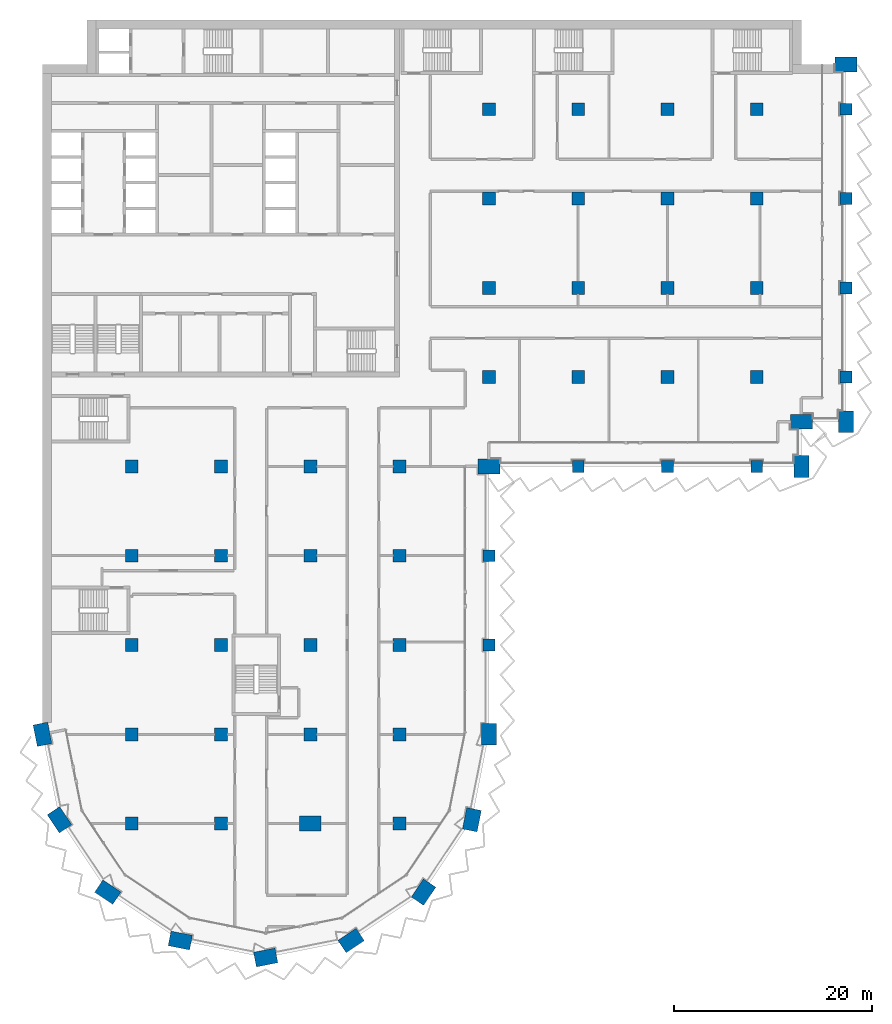
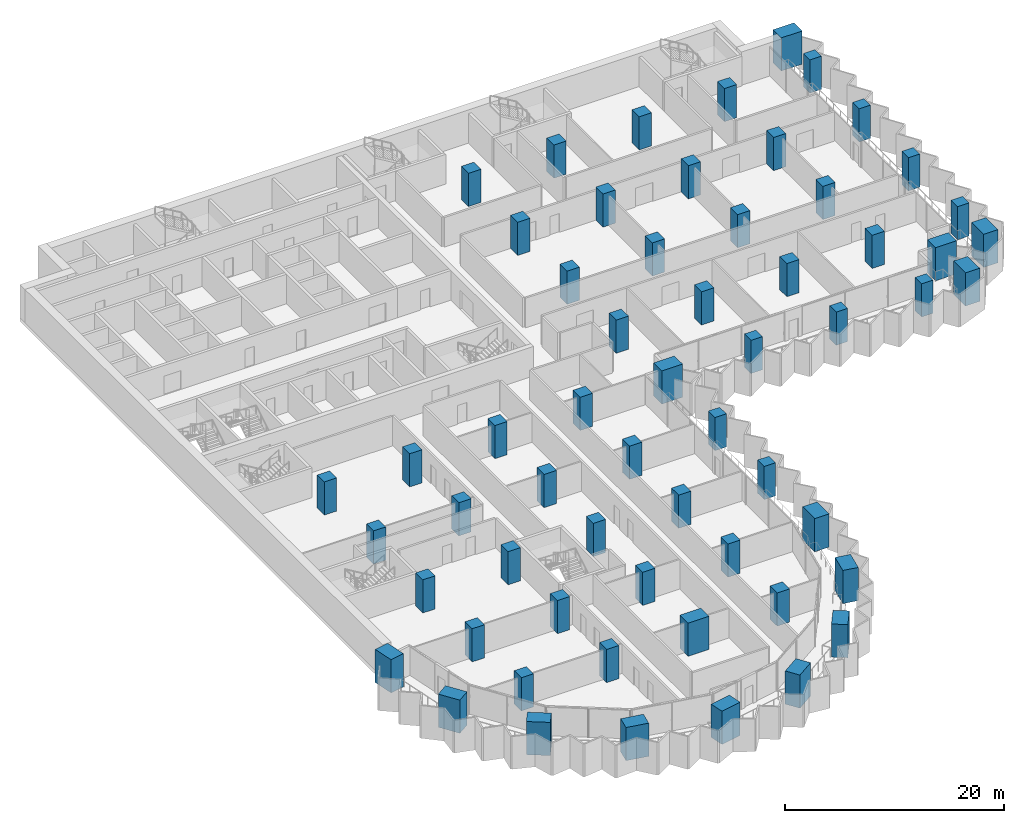
# One storey, part 1 of 22: 59 columns.
"""IFC4 building model written with IfcOpenShell, lengths in metres."""

from ifc_helpers import new_model, si_unit, direction, frame, origin, origin_2d, place, context, subcontext, project, spatial, rectangle, extrude, material, material_profile, profile_set, type_object, element, save


model = new_model("IFC4")

# Units and contexts
model_context = context("Model", 3, precision=1e-05, world=origin(), true_north=direction((0.0, 1.0)))
body_context = subcontext(model_context, "Body", "Model", "MODEL_VIEW")
ifc_project = project(units=[si_unit("LENGTHUNIT", "METRE"), si_unit("AREAUNIT", "SQUARE_METRE"), si_unit("VOLUMEUNIT", "CUBIC_METRE"), si_unit("PLANEANGLEUNIT", "RADIAN"), si_unit("MASSUNIT", "GRAM", prefix="KILO")], contexts=[model_context])

# Site, building, storey
site_placement = place(None, origin())
site = spatial("IfcSite", under=ifc_project, at=site_placement, CompositionType="ELEMENT")
building_placement = place(site_placement, origin())
building = spatial("IfcBuilding", under=site, at=building_placement, Name="Hunhe Ridgeline Campus", CompositionType="ELEMENT")
storey_placement = place(building_placement, frame((0.0, 0.0, 84.800048828125)))
storey = spatial("IfcBuildingStorey", under=building, at=storey_placement, Name="L20", CompositionType="ELEMENT", Elevation=84.800048828125)

# Columns
ifc_material = material(Name="Concrete C70", Category="concrete")
ifc_material_profile_1 = material_profile(ifc_material, rectangle(XDim=2.199951171875, YDim=1.5, at=origin_2d()))
ifc_profile_set_1 = profile_set([ifc_material_profile_1], Name="Concrete C70")
column_type_1 = type_object("IfcColumnType", Name="Megacolumn 2200x1500 Concrete C70", PredefinedType="COLUMN", material=ifc_profile_set_1)
for number, where, z_axis, x_axis, name in (
    (1, (22.5, 4.5, 0.0), (0.0, 0.0, 1.0), (0.980785280403, 0.195090322016, 0.0), "Column C6 R1 L20"),
    (2, (13.8896484375, 6.212646484375, 0.0), (0.0, 0.0, 1.0), (-0.980785280403, 0.195090322016, 0.0), "Column C6 R2 L20"),
    (3, (31.1103515625, 6.212646484375, 0.0), (0.0, 0.0, 1.0), (0.831469612303, 0.55557023302, 0.0), "Column C6 R3 L20"),
    (4, (6.590087890625, 11.090087890625, 0.0), (0.0, 0.0, 1.0), (-0.831469612303, 0.55557023302, 0.0), "Column C6 R4 L20"),
    (5, (38.409912109375, 11.090087890625, 0.0), (0.0, 0.0, 1.0), (0.55557023302, 0.831469612303, 0.0), "Column C6 R5 L20"),
    (6, (1.712646484375, 18.3896484375, 0.0), (0.0, 0.0, 1.0), (-0.55557023302, 0.831469612303, 0.0), "Column C6 R9 L20"),
    (7, (43.287353515625, 18.3896484375, 0.0), (0.0, 0.0, 1.0), (0.195090322016, 0.980785280403, 0.0), "Column C6 R10 L20"),
    (8, (0.0, 27.0, 0.0), (0.0, 0.0, 1.0), (-0.195090322016, 0.980785280403, 0.0), "Column C6 D1 L20"),
    (9, (45.0, 27.0, 0.0), (0.0, 0.0, 1.0), (0.0, 1.0, 0.0), "Column C6 D6 L20"),
    (10, (45.0, 54.0, 0.0), (0.0, 0.0, 1.0), (1.0, 0.0, 0.0), "Column C6 G6 L20"),
    (11, (76.5, 54.0, 0.0), (0.0, 0.0, 1.0), (0.0, 1.0, 0.0), "Column C6 R31 L20"),
    (12, (76.5, 58.5, 0.0), (0.0, 0.0, 1.0), (1.0, 0.0, 0.0), "Column C6 R37 L20"),
    (13, (81.0, 58.5, 0.0), (0.0, 0.0, 1.0), (0.0, 1.0, 0.0), "Column C6 R38 L20"),
    (14, (81.0, 94.5, 0.0), (0.0, 0.0, 1.0), (1.0, 0.0, 0.0), "Column C6 R43 L20"),
    (15, (27.0, 18.0, 0.0), (0.0, 0.0, 1.0), (1.0, 0.0, 0.0), "Column C6 C4 L20"),
):
    element("IfcColumn", number, at=place(storey_placement, frame(where, z_axis=z_axis, x_axis=x_axis)), inside=storey, type_object=column_type_1, Name=name, PredefinedType="COLUMN", context=body_context, shape_type="SweptSolid", body=[
        extrude(rectangle(XDim=2.199951171875, YDim=1.5, at=origin_2d()), origin(), (0.0, 0.0, 1.0), 3.699951171875),
    ])
ifc_material_profile_2 = material_profile(ifc_material, rectangle(XDim=1.199951171875, YDim=1.199951171875, at=origin_2d()))
ifc_profile_set_2 = profile_set([ifc_material_profile_2], Name="Concrete C70")
column_type_2 = type_object("IfcColumnType", Name="RC column 1200x1200 Concrete C70", PredefinedType="COLUMN", material=ifc_profile_set_2)
for number, where, z_axis, x_axis, name in (
    (16, (45.0, 36.0, 0.0), (0.0, 0.0, 1.0), (1.0, 0.0, 0.0), "Column C7 E6 L20"),
    (17, (45.0, 45.0, 0.0), (0.0, 0.0, 1.0), (1.0, 0.0, 0.0), "Column C7 F6 L20"),
    (18, (54.0, 54.0, 0.0), (0.0, 0.0, 1.0), (1.0, 0.0, 0.0), "Column C7 G7 L20"),
    (19, (63.0, 54.0, 0.0), (0.0, 0.0, 1.0), (1.0, 0.0, 0.0), "Column C7 G8 L20"),
    (20, (72.0, 54.0, 0.0), (0.0, 0.0, 1.0), (1.0, 0.0, 0.0), "Column C7 G9 L20"),
    (21, (81.0, 63.0, 0.0), (0.0, 0.0, 1.0), (1.0, 0.0, 0.0), "Column C7 H10 L20"),
    (22, (81.0, 72.0, 0.0), (0.0, 0.0, 1.0), (1.0, 0.0, 0.0), "Column C7 I10 L20"),
    (23, (81.0, 81.0, 0.0), (0.0, 0.0, 1.0), (1.0, 0.0, 0.0), "Column C7 J10 L20"),
    (24, (81.0, 90.0, 0.0), (0.0, 0.0, 1.0), (1.0, 0.0, 0.0), "Column C7 K10 L20"),
):
    element("IfcColumn", number, at=place(storey_placement, frame(where, z_axis=z_axis, x_axis=x_axis)), inside=storey, type_object=column_type_2, Name=name, PredefinedType="COLUMN", context=body_context, shape_type="SweptSolid", body=[
        extrude(rectangle(XDim=1.199951171875, YDim=1.199951171875, at=origin_2d()), origin(), (0.0, 0.0, 1.0), 3.699951171875),
    ])
ifc_material_profile_3 = material_profile(ifc_material, rectangle(XDim=1.300048828125, YDim=1.300048828125, at=origin_2d()))
ifc_profile_set_3 = profile_set([ifc_material_profile_3], Name="Concrete C70")
column_type_3 = type_object("IfcColumnType", Name="RC column 1300x1300 Concrete C70", PredefinedType="COLUMN", material=ifc_profile_set_3)
for number, where, z_axis, x_axis, name in (
    (25, (9.0, 18.0, 0.0), (0.0, 0.0, 1.0), (1.0, 0.0, 0.0), "Column C8 C2 L20"),
    (26, (9.0, 27.0, 0.0), (0.0, 0.0, 1.0), (1.0, 0.0, 0.0), "Column C8 D2 L20"),
    (27, (9.0, 36.0, 0.0), (0.0, 0.0, 1.0), (1.0, 0.0, 0.0), "Column C8 E2 L20"),
    (28, (9.0, 45.0, 0.0), (0.0, 0.0, 1.0), (1.0, 0.0, 0.0), "Column C8 F2 L20"),
    (29, (9.0, 54.0, 0.0), (0.0, 0.0, 1.0), (1.0, 0.0, 0.0), "Column C8 G2 L20"),
    (30, (18.0, 18.0, 0.0), (0.0, 0.0, 1.0), (1.0, 0.0, 0.0), "Column C8 C3 L20"),
    (31, (18.0, 27.0, 0.0), (0.0, 0.0, 1.0), (1.0, 0.0, 0.0), "Column C8 D3 L20"),
    (32, (18.0, 36.0, 0.0), (0.0, 0.0, 1.0), (1.0, 0.0, 0.0), "Column C8 E3 L20"),
    (33, (18.0, 45.0, 0.0), (0.0, 0.0, 1.0), (1.0, 0.0, 0.0), "Column C8 F3 L20"),
    (34, (18.0, 54.0, 0.0), (0.0, 0.0, 1.0), (1.0, 0.0, 0.0), "Column C8 G3 L20"),
    (35, (27.0, 27.0, 0.0), (0.0, 0.0, 1.0), (1.0, 0.0, 0.0), "Column C8 D4 L20"),
    (36, (27.0, 36.0, 0.0), (0.0, 0.0, 1.0), (1.0, 0.0, 0.0), "Column C8 E4 L20"),
    (37, (27.0, 45.0, 0.0), (0.0, 0.0, 1.0), (1.0, 0.0, 0.0), "Column C8 F4 L20"),
    (38, (27.0, 54.0, 0.0), (0.0, 0.0, 1.0), (1.0, 0.0, 0.0), "Column C8 G4 L20"),
    (39, (36.0, 18.0, 0.0), (0.0, 0.0, 1.0), (1.0, 0.0, 0.0), "Column C8 C5 L20"),
    (40, (36.0, 27.0, 0.0), (0.0, 0.0, 1.0), (1.0, 0.0, 0.0), "Column C8 D5 L20"),
    (41, (36.0, 36.0, 0.0), (0.0, 0.0, 1.0), (1.0, 0.0, 0.0), "Column C8 E5 L20"),
    (42, (36.0, 45.0, 0.0), (0.0, 0.0, 1.0), (1.0, 0.0, 0.0), "Column C8 F5 L20"),
    (43, (36.0, 54.0, 0.0), (0.0, 0.0, 1.0), (1.0, 0.0, 0.0), "Column C8 G5 L20"),
    (44, (45.0, 63.0, 0.0), (0.0, 0.0, 1.0), (1.0, 0.0, 0.0), "Column C8 H6 L20"),
    (45, (45.0, 72.0, 0.0), (0.0, 0.0, 1.0), (1.0, 0.0, 0.0), "Column C8 I6 L20"),
    (46, (45.0, 81.0, 0.0), (0.0, 0.0, 1.0), (1.0, 0.0, 0.0), "Column C8 J6 L20"),
    (47, (45.0, 90.0, 0.0), (0.0, 0.0, 1.0), (1.0, 0.0, 0.0), "Column C8 K6 L20"),
    (48, (54.0, 63.0, 0.0), (0.0, 0.0, 1.0), (1.0, 0.0, 0.0), "Column C8 H7 L20"),
    (49, (54.0, 72.0, 0.0), (0.0, 0.0, 1.0), (1.0, 0.0, 0.0), "Column C8 I7 L20"),
    (50, (54.0, 81.0, 0.0), (0.0, 0.0, 1.0), (1.0, 0.0, 0.0), "Column C8 J7 L20"),
    (51, (54.0, 90.0, 0.0), (0.0, 0.0, 1.0), (1.0, 0.0, 0.0), "Column C8 K7 L20"),
    (52, (63.0, 63.0, 0.0), (0.0, 0.0, 1.0), (1.0, 0.0, 0.0), "Column C8 H8 L20"),
    (53, (63.0, 72.0, 0.0), (0.0, 0.0, 1.0), (1.0, 0.0, 0.0), "Column C8 I8 L20"),
    (54, (63.0, 81.0, 0.0), (0.0, 0.0, 1.0), (1.0, 0.0, 0.0), "Column C8 J8 L20"),
    (55, (63.0, 90.0, 0.0), (0.0, 0.0, 1.0), (1.0, 0.0, 0.0), "Column C8 K8 L20"),
    (56, (72.0, 63.0, 0.0), (0.0, 0.0, 1.0), (1.0, 0.0, 0.0), "Column C8 H9 L20"),
    (57, (72.0, 72.0, 0.0), (0.0, 0.0, 1.0), (1.0, 0.0, 0.0), "Column C8 I9 L20"),
    (58, (72.0, 81.0, 0.0), (0.0, 0.0, 1.0), (1.0, 0.0, 0.0), "Column C8 J9 L20"),
    (59, (72.0, 90.0, 0.0), (0.0, 0.0, 1.0), (1.0, 0.0, 0.0), "Column C8 K9 L20"),
):
    element("IfcColumn", number, at=place(storey_placement, frame(where, z_axis=z_axis, x_axis=x_axis)), inside=storey, type_object=column_type_3, Name=name, PredefinedType="COLUMN", context=body_context, shape_type="SweptSolid", body=[
        extrude(rectangle(XDim=1.300048828125, YDim=1.300048828125, at=origin_2d()), origin(), (0.0, 0.0, 1.0), 3.699951171875),
    ])

save(model, "model.ifc")
